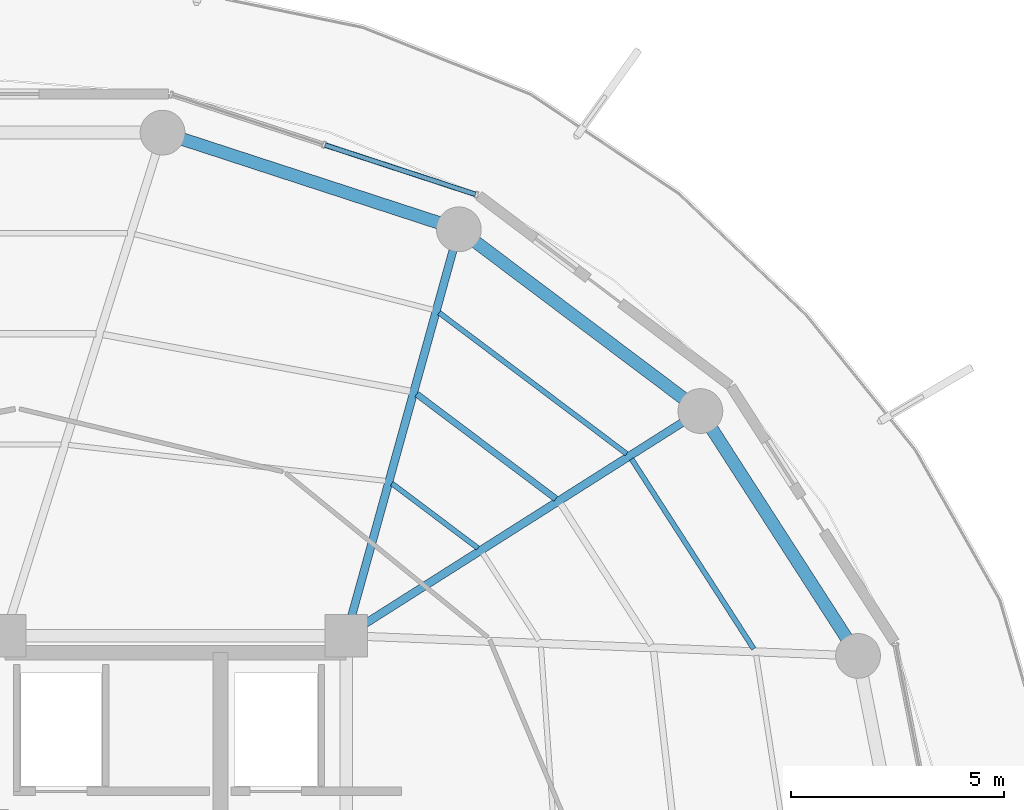
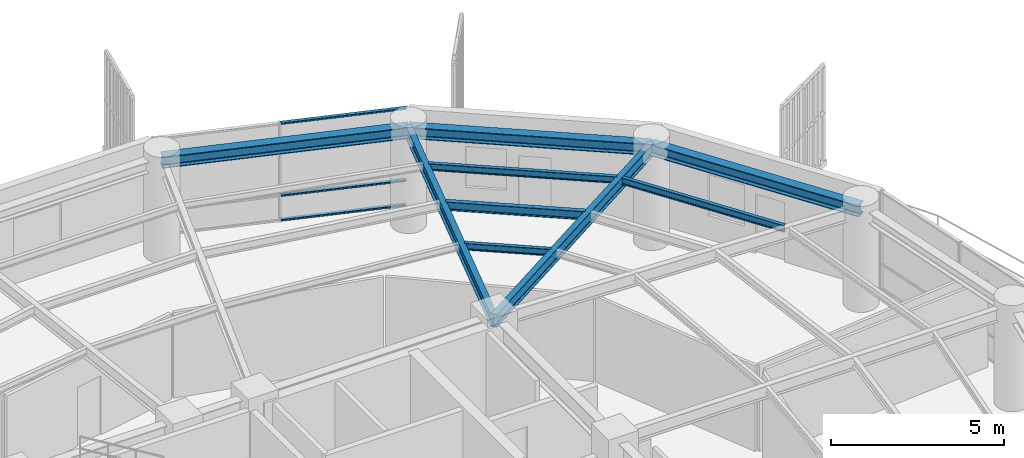
# One storey, part 21 of 31: 9 beams, 3 members, 1 element without a shape of its own.
"""IFC4 building model written with IfcOpenShell, lengths in metres."""

from ifc_helpers import new_model, si_unit, direction, frame, origin, origin_2d, place, context, subcontext, project, spatial, hollow_rectangle, i_section, extrude, material, layer, layer_set, material_profile, profile_set, type_object, element, aggregate, save


model = new_model("IFC4")

# Units and contexts
model_context = context("Model", 3, precision=1e-05, world=origin(), true_north=direction((0.0, 1.0)))
body_context = subcontext(model_context, "Body", "Model", "MODEL_VIEW")
ifc_project = project(units=[si_unit("LENGTHUNIT", "METRE"), si_unit("AREAUNIT", "SQUARE_METRE"), si_unit("VOLUMEUNIT", "CUBIC_METRE"), si_unit("PLANEANGLEUNIT", "RADIAN"), si_unit("MASSUNIT", "GRAM", prefix="KILO")], contexts=[model_context])

# Site, building, storey
site_placement = place(None, origin())
site = spatial("IfcSite", under=ifc_project, at=site_placement, CompositionType="ELEMENT")
building_placement = place(site_placement, origin())
building = spatial("IfcBuilding", under=site, at=building_placement, Name="Kelanora Arch Commons", CompositionType="ELEMENT")
storey_placement = place(building_placement, frame((0.0, 0.0, 230.699951171875)))
storey = spatial("IfcBuildingStorey", under=building, at=storey_placement, Name="L59", CompositionType="ELEMENT", Elevation=230.699951171875)

# Beams
ifc_material_1 = material(Name="Steel S355", Category="steel")
ifc_material_profile_1 = material_profile(ifc_material_1, i_section(OverallWidth=0.14990234375, OverallDepth=0.300048828125, WebThickness=0.007080078125, FlangeThickness=0.0107421875, FilletRadius=0.014892578125, at=origin_2d()), Name="IPE300")
ifc_profile_set_1 = profile_set([ifc_material_profile_1], Name="Steel S355")
beam_type_1 = type_object("IfcBeamType", Name="BM-JST-01", PredefinedType="JOIST", material=ifc_profile_set_1)
beam_1_placement = place(storey_placement, frame((86.912841796875, 68.209716796875, 3.340087890625), z_axis=(-0.799101708656, 0.601195857624, 0.0), x_axis=(-0.601195857624, -0.799101708656, 0.0)))
element("IfcBeam", 1, at=beam_1_placement, inside=storey, type_object=beam_type_1, Name="Secondary Chord Joist BJB-04 L59", PredefinedType="JOIST", context=body_context, shape_type="SweptSolid", body=[
    extrude(i_section(OverallWidth=0.14990234375, OverallDepth=0.300048828125, WebThickness=0.007080078125, FlangeThickness=0.0107421875, FilletRadius=0.014892578125, at=origin_2d()), origin(), (0.0, 0.0, 1.0), 4.080810546875),
])
ifc_material_profile_2 = material_profile(ifc_material_1, i_section(OverallWidth=0.1201171875, OverallDepth=0.239990234375, WebThickness=0.006103515625, FlangeThickness=0.009765625, FilletRadius=0.014892578125, at=origin_2d()), Name="IPE240")
ifc_profile_set_2 = profile_set([ifc_material_profile_2], Name="Steel S355")
beam_type_2 = type_object("IfcBeamType", Name="BM-JST-02", PredefinedType="JOIST", material=ifc_profile_set_2)
beam_2_placement = place(storey_placement, frame((91.55126953125, 64.69189453125, 3.3701171875), z_axis=(-0.541382492679, 0.840776424872, 0.0), x_axis=(-0.840776424872, -0.541382492679, 0.0)))
element("IfcBeam", 2, at=beam_2_placement, inside=storey, type_object=beam_type_2, Name="Secondary Chord Joist BJC-02 L59", PredefinedType="JOIST", context=body_context, shape_type="SweptSolid", body=[
    extrude(i_section(OverallWidth=0.1201171875, OverallDepth=0.239990234375, WebThickness=0.006103515625, FlangeThickness=0.009765625, FilletRadius=0.014892578125, at=origin_2d()), origin(), (0.0, 0.0, 1.0), 5.29052734375),
])
beam_3_placement = place(storey_placement, frame((85.086669921875, 67.051513671875, 3.3701171875), z_axis=(-0.79911638933, 0.601176343766, 0.0), x_axis=(-0.601176343766, -0.79911638933, 0.0)))
element("IfcBeam", 3, at=beam_3_placement, inside=storey, type_object=beam_type_2, Name="Secondary Chord Joist BJA-04 L59", PredefinedType="JOIST", context=body_context, shape_type="SweptSolid", body=[
    extrude(i_section(OverallWidth=0.1201171875, OverallDepth=0.239990234375, WebThickness=0.006103515625, FlangeThickness=0.009765625, FilletRadius=0.014892578125, at=origin_2d()), origin(), (0.0, 0.0, 1.0), 2.522216796875),
])
beam_4_placement = place(storey_placement, frame((88.5732421875, 69.2626953125, 3.3701171875), z_axis=(-0.799109197935, 0.601185902842, 0.0), x_axis=(-0.601185902842, -0.799109197935, 0.0)))
element("IfcBeam", 4, at=beam_4_placement, inside=storey, type_object=beam_type_2, Name="Secondary Chord Joist BJC-04 L59", PredefinedType="JOIST", context=body_context, shape_type="SweptSolid", body=[
    extrude(i_section(OverallWidth=0.1201171875, OverallDepth=0.239990234375, WebThickness=0.006103515625, FlangeThickness=0.009765625, FilletRadius=0.014892578125, at=origin_2d()), origin(), (0.0, 0.0, 1.0), 5.497802734375),
])
ifc_material_profile_3 = material_profile(ifc_material_1, i_section(OverallWidth=0.18994140625, OverallDepth=0.449951171875, WebThickness=0.009521484375, FlangeThickness=0.0146484375, FilletRadius=0.02099609375, at=origin_2d()), Name="IPE450")
ifc_profile_set_3 = profile_set([ifc_material_profile_3], Name="Steel S355")
beam_type_3 = type_object("IfcBeamType", Name="BM-RAD-Z4", PredefinedType="BEAM", material=ifc_profile_set_3)
beam_5_placement = place(storey_placement, frame((82.0, 65.0, 3.26513671875), z_axis=(0.844507208607, 0.535544185489, 0.0), x_axis=(-0.535544185489, 0.844507208607, 0.0)))
element("IfcBeam", 5, at=beam_5_placement, inside=storey, type_object=beam_type_3, Name="Radial Floor Girder BR-04 L59", PredefinedType="BEAM", context=body_context, shape_type="SweptSolid", body=[
    extrude(i_section(OverallWidth=0.18994140625, OverallDepth=0.449951171875, WebThickness=0.009521484375, FlangeThickness=0.0146484375, FilletRadius=0.02099609375, at=origin_2d()), origin(), (0.0, 0.0, 1.0), 9.830078125),
])
beam_6_placement = place(storey_placement, frame((82.0, 65.0, 3.26513671875), z_axis=(0.267120164296, 0.963663228429, 0.0), x_axis=(-0.963663228429, 0.267120164296, 0.0)))
element("IfcBeam", 6, at=beam_6_placement, inside=storey, type_object=beam_type_3, Name="Radial Floor Girder BR-06 L59", PredefinedType="BEAM", context=body_context, shape_type="SweptSolid", body=[
    extrude(i_section(OverallWidth=0.18994140625, OverallDepth=0.449951171875, WebThickness=0.009521484375, FlangeThickness=0.0146484375, FilletRadius=0.02099609375, at=origin_2d()), origin(), (0.0, 0.0, 1.0), 9.8828125),
])
ifc_material_profile_4 = material_profile(ifc_material_1, i_section(OverallWidth=0.300048828125, OverallDepth=0.39990234375, WebThickness=0.013427734375, FlangeThickness=0.02392578125, FilletRadius=0.027099609375, at=origin_2d()), Name="HEB400")
ifc_profile_set_4 = profile_set([ifc_material_profile_4], Name="Steel S355")
beam_type_4 = type_object("IfcBeamType", Name="BM-SPN-Z4", PredefinedType="SPANDREL", material=ifc_profile_set_4)
beam_7_placement = place(storey_placement, frame((93.99658203125, 64.525634765625, 3.2900390625), z_axis=(-0.541364878868, 0.840787766281, 0.0), x_axis=(-0.840787766281, -0.541364878868, 0.0)))
element("IfcBeam", 7, at=beam_7_placement, inside=storey, type_object=beam_type_4, Name="Perimeter Spandrel Beam BS-02 L59", PredefinedType="SPANDREL", context=body_context, shape_type="SweptSolid", body=[
    extrude(i_section(OverallWidth=0.300048828125, OverallDepth=0.39990234375, WebThickness=0.013427734375, FlangeThickness=0.02392578125, FilletRadius=0.027099609375, at=origin_2d()), origin(), (0.0, 0.0, 1.0), 6.825439453125),
])
beam_8_placement = place(storey_placement, frame((90.301513671875, 70.264404296875, 3.2900390625), z_axis=(-0.799114211715, 0.60117923836, 0.0), x_axis=(-0.60117923836, -0.799114211715, 0.0)))
element("IfcBeam", 8, at=beam_8_placement, inside=storey, type_object=beam_type_4, Name="Perimeter Spandrel Beam BS-04 L59", PredefinedType="SPANDREL", context=body_context, shape_type="SweptSolid", body=[
    extrude(i_section(OverallWidth=0.300048828125, OverallDepth=0.39990234375, WebThickness=0.013427734375, FlangeThickness=0.02392578125, FilletRadius=0.027099609375, at=origin_2d()), origin(), (0.0, 0.0, 1.0), 7.0849609375),
])
beam_9_placement = place(storey_placement, frame((84.639892578125, 74.523681640625, 3.2900390625), z_axis=(-0.950656361143, 0.310245842872, 0.0), x_axis=(-0.310245842872, -0.950656361143, 0.0)))
element("IfcBeam", 9, at=beam_9_placement, inside=storey, type_object=beam_type_4, Name="Perimeter Spandrel Beam BS-06 L59", PredefinedType="SPANDREL", context=body_context, shape_type="SweptSolid", body=[
    extrude(i_section(OverallWidth=0.300048828125, OverallDepth=0.39990234375, WebThickness=0.013427734375, FlangeThickness=0.02392578125, FilletRadius=0.027099609375, at=origin_2d()), origin(), (0.0, 0.0, 1.0), 7.304931640625),
])

# Curtain wall, members
ifc_material_2 = material(Name="Terracotta ceramic-fritted low-E glass and aluminium", Category="masonry")
ifc_layer = layer(ifc_material_2, 0.175048828125)
ifc_layer_set = layer_set([ifc_layer], Name="Terracotta ceramic-fritted low-E glass and aluminium")
curtain_wall_type = type_object("IfcCurtainWallType", Name="CW-SYS-02", PredefinedType="NOTDEFINED", material=ifc_layer_set)
curtain_wall_placement = place(storey_placement, origin())
curtain_wall = element("IfcCurtainWall", 10, at=curtain_wall_placement, inside=storey, type_object=curtain_wall_type, Name="Unitised Curtain Wall L59-B03", PredefinedType="NOTDEFINED")
ifc_material_3 = material(Name="Powder-coated aluminium terracotta", Category="masonry")
ifc_material_profile_5 = material_profile(ifc_material_3, hollow_rectangle(XDim=0.1201171875, YDim=0.06005859375, WallThickness=0.0048828125, InnerFilletRadius=0.0048828125, OuterFilletRadius=0.010009765625, at=origin_2d()), Name="CWT120x60")
ifc_profile_set_5 = profile_set([ifc_material_profile_5], Name="Powder-coated aluminium terracotta")
member_type = type_object("IfcMemberType", Name="CWT-STD", PredefinedType="USERDEFINED", material=ifc_profile_set_5)
member_1_placement = place(storey_placement, frame((85.02880859375, 75.343994140625, 0.030029296875), z_axis=(-0.950226025222, 0.311561392011, 0.0), x_axis=(-0.311561392011, -0.950226025222, 0.0)))
member_1 = element("IfcMember", 11, at=member_1_placement, type_object=member_type, Name="CW-02 transom 1.1", ObjectType="TRANSOM", PredefinedType="USERDEFINED", context=body_context, shape_type="SweptSolid", body=[
    extrude(hollow_rectangle(XDim=0.1201171875, YDim=0.06005859375, WallThickness=0.0048828125, InnerFilletRadius=0.0048828125, OuterFilletRadius=0.010009765625, at=origin_2d()), origin(), (0.0, 0.0, 1.0), 3.707275390625),
])
member_2_placement = place(storey_placement, frame((85.02880859375, 75.343994140625, 0.900146484375), z_axis=(-0.950226025222, 0.311561392011, 0.0), x_axis=(-0.311561392011, -0.950226025222, 0.0)))
member_2 = element("IfcMember", 12, at=member_2_placement, type_object=member_type, Name="CW-02 transom 1.2", ObjectType="TRANSOM", PredefinedType="USERDEFINED", context=body_context, shape_type="SweptSolid", body=[
    extrude(hollow_rectangle(XDim=0.1201171875, YDim=0.06005859375, WallThickness=0.0048828125, InnerFilletRadius=0.0048828125, OuterFilletRadius=0.010009765625, at=origin_2d()), origin(), (0.0, 0.0, 1.0), 3.707275390625),
])
member_3_placement = place(storey_placement, frame((85.02880859375, 75.343994140625, 3.445068359375), z_axis=(-0.950226025222, 0.311561392011, 0.0), x_axis=(-0.311561392011, -0.950226025222, 0.0)))
member_3 = element("IfcMember", 13, at=member_3_placement, type_object=member_type, Name="CW-02 transom 1.3", ObjectType="TRANSOM", PredefinedType="USERDEFINED", context=body_context, shape_type="SweptSolid", body=[
    extrude(hollow_rectangle(XDim=0.1201171875, YDim=0.06005859375, WallThickness=0.0048828125, InnerFilletRadius=0.0048828125, OuterFilletRadius=0.010009765625, at=origin_2d()), origin(), (0.0, 0.0, 1.0), 3.707275390625),
])
aggregate(curtain_wall, [member_1, member_2, member_3])

save(model, "model.ifc")
